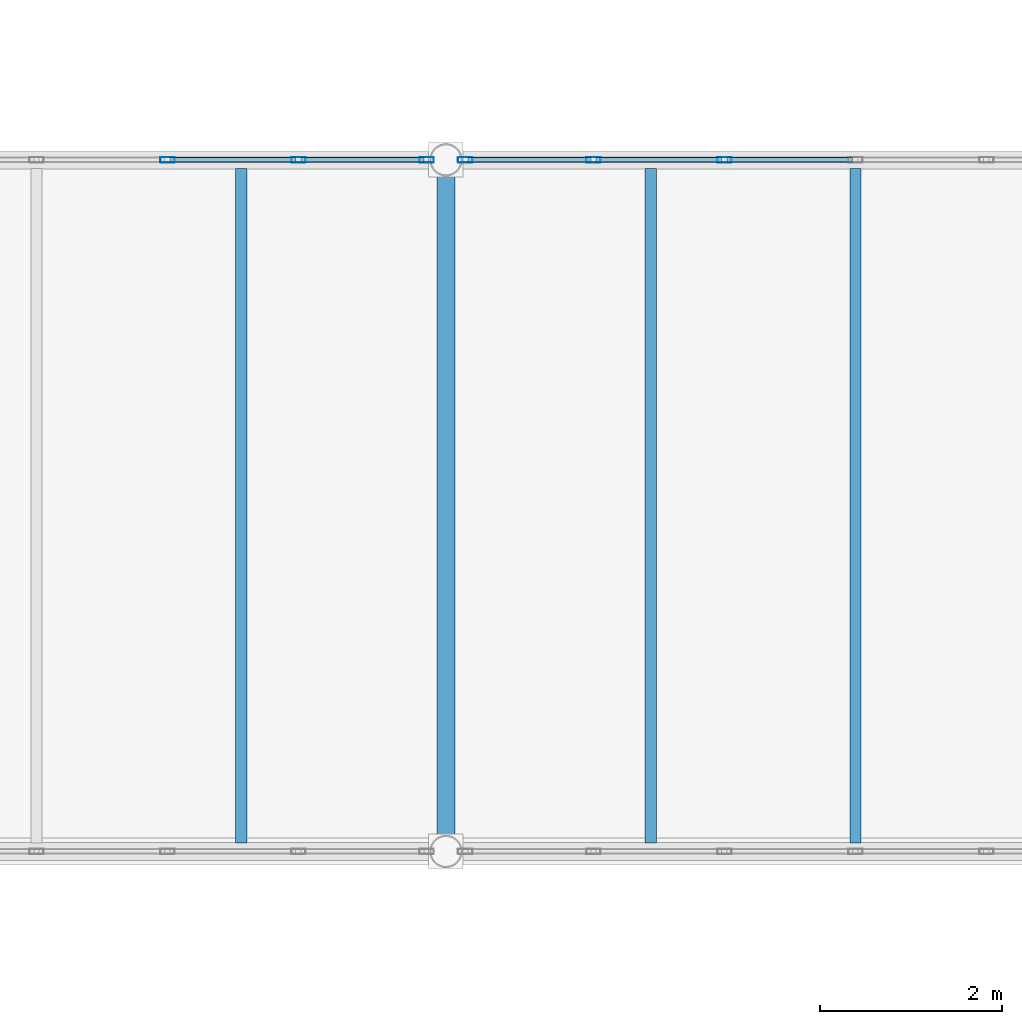
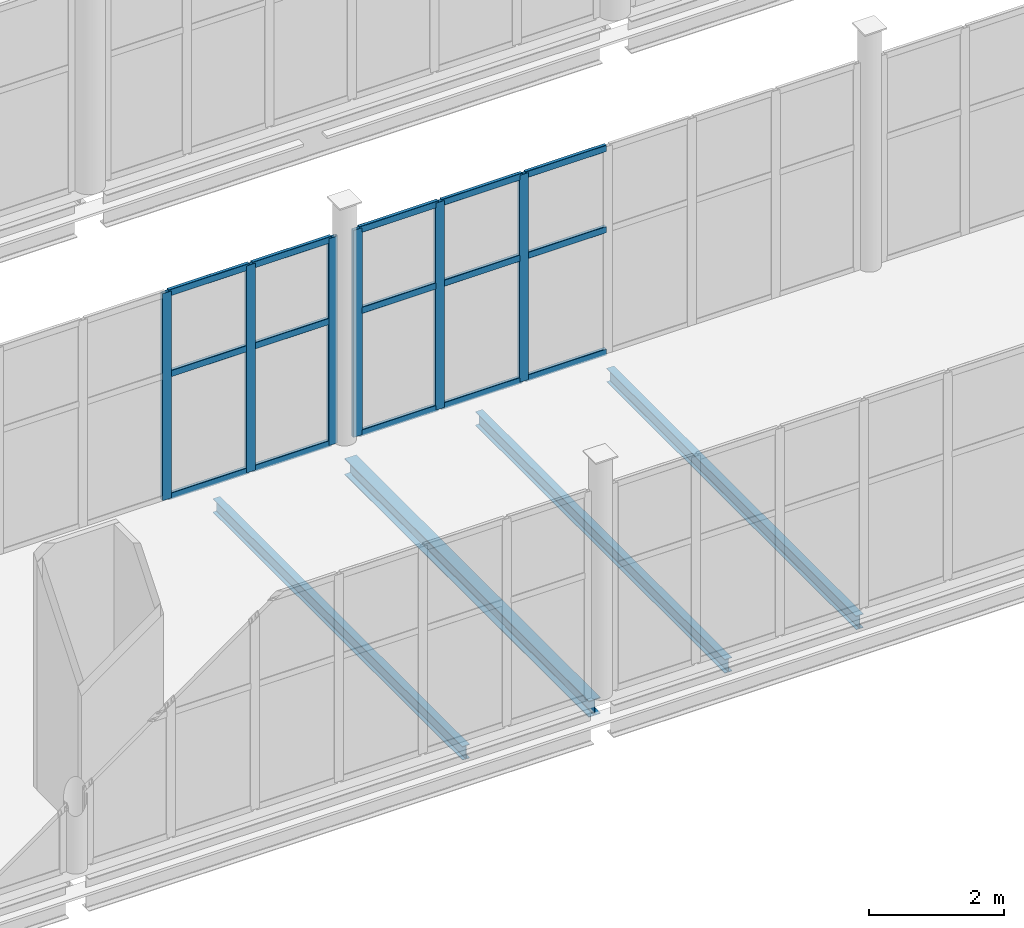
# One storey, part 103 of 172: 21 members, 4 beams, 2 elements without a shape of their own.
"""IFC4 building model written with IfcOpenShell, lengths in metres."""

from ifc_helpers import new_model, si_unit, direction, frame, origin, origin_2d, place, context, subcontext, project, spatial, hollow_rectangle, i_section, extrude, material, material_profile, profile_set, type_object, element, aggregate, save


model = new_model("IFC4")

# Units and contexts
model_context = context("Model", 3, precision=1e-05, world=origin(), true_north=direction((0.0, 1.0)))
body_context = subcontext(model_context, "Body", "Model", "MODEL_VIEW")
ifc_project = project(units=[si_unit("LENGTHUNIT", "METRE"), si_unit("AREAUNIT", "SQUARE_METRE"), si_unit("VOLUMEUNIT", "CUBIC_METRE"), si_unit("PLANEANGLEUNIT", "RADIAN"), si_unit("MASSUNIT", "GRAM", prefix="KILO")], contexts=[model_context])

# Site, building, storey
site_placement = place(None, origin())
site = spatial("IfcSite", under=ifc_project, at=site_placement, CompositionType="ELEMENT")
building_placement = place(site_placement, origin())
building = spatial("IfcBuilding", under=site, at=building_placement, Name="Shengluoqiao Park Theatre", CompositionType="ELEMENT")
storey_placement = place(building_placement, frame((0.0, 0.0, 5.39990234375)))
storey = spatial("IfcBuildingStorey", under=building, at=storey_placement, Name="L01", CompositionType="ELEMENT", Elevation=5.39990234375)

# Curtain wall, members
ifc_material_1 = material(Name="Aluminium 6063-T6", Category="aluminium")
curtain_wall_type = type_object("IfcCurtainWallType", Name="ENV-CW-BRIDGE", PredefinedType="NOTDEFINED", material=ifc_material_1)
curtain_wall_1_placement = place(storey_placement, origin())
curtain_wall_1 = element("IfcCurtainWall", 1, at=curtain_wall_1_placement, inside=storey, type_object=curtain_wall_type, Name="L01 Curtain Wall CWX-L01-0145", PredefinedType="NOTDEFINED")
ifc_material_profile_1 = material_profile(ifc_material_1, hollow_rectangle(XDim=0.06005859375, YDim=0.159912109375, WallThickness=0.00390625, InnerFilletRadius=0.00390625, OuterFilletRadius=0.008056640625, at=origin_2d()), Name="ALU MULLION 160x60x4")
ifc_profile_set_1 = profile_set([ifc_material_profile_1], Name="Aluminium 6063-T6")
member_type_1 = type_object("IfcMemberType", Name="ENV-MUL-160", PredefinedType="MULLION", material=ifc_profile_set_1)
member_1_placement = place(storey_placement, frame((127.33935546875, 60.800048828125, 0.0), z_axis=(0.0, 0.0, 1.0), x_axis=(0.0, 1.0, 0.0)))
member_1 = element("IfcMember", 2, at=member_1_placement, type_object=member_type_1, Name="CW-03 mullion 5", PredefinedType="MULLION", context=body_context, shape_type="SweptSolid", body=[
    extrude(hollow_rectangle(XDim=0.06005859375, YDim=0.159912109375, WallThickness=0.00390625, InnerFilletRadius=0.00390625, OuterFilletRadius=0.008056640625, at=origin_2d()), origin(), (0.0, 0.0, 1.0), 3.752197265625),
])
member_2_placement = place(storey_placement, frame((128.778564453125, 60.800048828125, 0.0), z_axis=(0.0, 0.0, 1.0), x_axis=(0.0, 1.0, 0.0)))
member_2 = element("IfcMember", 3, at=member_2_placement, type_object=member_type_1, Name="CW-03 mullion 6", PredefinedType="MULLION", context=body_context, shape_type="SweptSolid", body=[
    extrude(hollow_rectangle(XDim=0.06005859375, YDim=0.159912109375, WallThickness=0.00390625, InnerFilletRadius=0.00390625, OuterFilletRadius=0.008056640625, at=origin_2d()), origin(), (0.0, 0.0, 1.0), 3.752197265625),
])
member_3_placement = place(storey_placement, frame((130.18798828125, 60.800048828125, 0.0), z_axis=(0.0, 0.0, 1.0), x_axis=(0.0, 1.0, 0.0)))
member_3 = element("IfcMember", 4, at=member_3_placement, type_object=member_type_1, Name="CW-03 mullion 7", PredefinedType="MULLION", context=body_context, shape_type="SweptSolid", body=[
    extrude(hollow_rectangle(XDim=0.06005859375, YDim=0.159912109375, WallThickness=0.00390625, InnerFilletRadius=0.00390625, OuterFilletRadius=0.008056640625, at=origin_2d()), origin(), (0.0, 0.0, 1.0), 3.752197265625),
])

curtain_wall_2_placement = place(storey_placement, origin())
curtain_wall_2 = element("IfcCurtainWall", 5, at=curtain_wall_2_placement, inside=storey, type_object=curtain_wall_type, Name="L01 Curtain Wall CWX-L01-0146", PredefinedType="NOTDEFINED")
member_4_placement = place(storey_placement, frame((130.612060546875, 60.800048828125, 0.0), z_axis=(0.0, 0.0, 1.0), x_axis=(0.0, 1.0, 0.0)))
member_4 = element("IfcMember", 6, at=member_4_placement, type_object=member_type_1, Name="CW-03 mullion 1", PredefinedType="MULLION", context=body_context, shape_type="SweptSolid", body=[
    extrude(hollow_rectangle(XDim=0.06005859375, YDim=0.159912109375, WallThickness=0.00390625, InnerFilletRadius=0.00390625, OuterFilletRadius=0.008056640625, at=origin_2d()), origin(), (0.0, 0.0, 1.0), 3.752197265625),
])
member_5_placement = place(storey_placement, frame((132.021240234375, 60.800048828125, 0.0), z_axis=(0.0, 0.0, 1.0), x_axis=(0.0, 1.0, 0.0)))
member_5 = element("IfcMember", 7, at=member_5_placement, type_object=member_type_1, Name="CW-03 mullion 2", PredefinedType="MULLION", context=body_context, shape_type="SweptSolid", body=[
    extrude(hollow_rectangle(XDim=0.06005859375, YDim=0.159912109375, WallThickness=0.00390625, InnerFilletRadius=0.00390625, OuterFilletRadius=0.008056640625, at=origin_2d()), origin(), (0.0, 0.0, 1.0), 3.752197265625),
])
member_6_placement = place(storey_placement, frame((133.460693359375, 60.800048828125, 0.0), z_axis=(0.0, 0.0, 1.0), x_axis=(0.0, 1.0, 0.0)))
member_6 = element("IfcMember", 8, at=member_6_placement, type_object=member_type_1, Name="CW-03 mullion 3", PredefinedType="MULLION", context=body_context, shape_type="SweptSolid", body=[
    extrude(hollow_rectangle(XDim=0.06005859375, YDim=0.159912109375, WallThickness=0.00390625, InnerFilletRadius=0.00390625, OuterFilletRadius=0.008056640625, at=origin_2d()), origin(), (0.0, 0.0, 1.0), 3.752197265625),
])

# Member
ifc_material_profile_2 = material_profile(ifc_material_1, hollow_rectangle(XDim=0.06005859375, YDim=0.1201171875, WallThickness=0.00390625, InnerFilletRadius=0.00390625, OuterFilletRadius=0.008056640625, at=origin_2d()), Name="ALU TRANSOM 120x60x4")
ifc_profile_set_2 = profile_set([ifc_material_profile_2], Name="Aluminium 6063-T6")
member_type_2 = type_object("IfcMemberType", Name="ENV-TRN-120", PredefinedType="USERDEFINED", material=ifc_profile_set_2)
member_7_placement = place(storey_placement, frame((127.369384765625, 60.800048828125, 0.030029296875), z_axis=(1.0, 0.0, 0.0), x_axis=(0.0, 1.0, 0.0)))
member_7 = element("IfcMember", 9, at=member_7_placement, type_object=member_type_2, Name="CW-03 transom 5.1", ObjectType="TRANSOM", PredefinedType="USERDEFINED", context=body_context, shape_type="SweptSolid", body=[
    extrude(hollow_rectangle(XDim=0.06005859375, YDim=0.1201171875, WallThickness=0.00390625, InnerFilletRadius=0.00390625, OuterFilletRadius=0.008056640625, at=origin_2d()), origin(), (0.0, 0.0, 1.0), 1.37939453125),
])

member_8_placement = place(storey_placement, frame((127.369384765625, 60.800048828125, 2.2509765625), z_axis=(1.0, 0.0, 0.0), x_axis=(0.0, 1.0, 0.0)))
member_8 = element("IfcMember", 10, at=member_8_placement, type_object=member_type_2, Name="CW-03 transom 5.2", ObjectType="TRANSOM", PredefinedType="USERDEFINED", context=body_context, shape_type="SweptSolid", body=[
    extrude(hollow_rectangle(XDim=0.06005859375, YDim=0.1201171875, WallThickness=0.00390625, InnerFilletRadius=0.00390625, OuterFilletRadius=0.008056640625, at=origin_2d()), origin(), (0.0, 0.0, 1.0), 1.37939453125),
])

member_9_placement = place(storey_placement, frame((127.369384765625, 60.800048828125, 3.72216796875), z_axis=(1.0, 0.0, 0.0), x_axis=(0.0, 1.0, 0.0)))
member_9 = element("IfcMember", 11, at=member_9_placement, type_object=member_type_2, Name="CW-03 transom 5.3", ObjectType="TRANSOM", PredefinedType="USERDEFINED", context=body_context, shape_type="SweptSolid", body=[
    extrude(hollow_rectangle(XDim=0.06005859375, YDim=0.1201171875, WallThickness=0.00390625, InnerFilletRadius=0.00390625, OuterFilletRadius=0.008056640625, at=origin_2d()), origin(), (0.0, 0.0, 1.0), 1.37939453125),
])

member_10_placement = place(storey_placement, frame((128.80859375, 60.800048828125, 0.030029296875), z_axis=(1.0, 0.0, 0.0), x_axis=(0.0, 1.0, 0.0)))
member_10 = element("IfcMember", 12, at=member_10_placement, type_object=member_type_2, Name="CW-03 transom 6.1", ObjectType="TRANSOM", PredefinedType="USERDEFINED", context=body_context, shape_type="SweptSolid", body=[
    extrude(hollow_rectangle(XDim=0.06005859375, YDim=0.1201171875, WallThickness=0.00390625, InnerFilletRadius=0.00390625, OuterFilletRadius=0.008056640625, at=origin_2d()), origin(), (0.0, 0.0, 1.0), 1.349365234375),
])

member_11_placement = place(storey_placement, frame((128.80859375, 60.800048828125, 2.2509765625), z_axis=(1.0, 0.0, 0.0), x_axis=(0.0, 1.0, 0.0)))
member_11 = element("IfcMember", 13, at=member_11_placement, type_object=member_type_2, Name="CW-03 transom 6.2", ObjectType="TRANSOM", PredefinedType="USERDEFINED", context=body_context, shape_type="SweptSolid", body=[
    extrude(hollow_rectangle(XDim=0.06005859375, YDim=0.1201171875, WallThickness=0.00390625, InnerFilletRadius=0.00390625, OuterFilletRadius=0.008056640625, at=origin_2d()), origin(), (0.0, 0.0, 1.0), 1.349365234375),
])

member_12_placement = place(storey_placement, frame((128.80859375, 60.800048828125, 3.72216796875), z_axis=(1.0, 0.0, 0.0), x_axis=(0.0, 1.0, 0.0)))
member_12 = element("IfcMember", 14, at=member_12_placement, type_object=member_type_2, Name="CW-03 transom 6.3", ObjectType="TRANSOM", PredefinedType="USERDEFINED", context=body_context, shape_type="SweptSolid", body=[
    extrude(hollow_rectangle(XDim=0.06005859375, YDim=0.1201171875, WallThickness=0.00390625, InnerFilletRadius=0.00390625, OuterFilletRadius=0.008056640625, at=origin_2d()), origin(), (0.0, 0.0, 1.0), 1.349365234375),
])

aggregate(curtain_wall_1, [member_1, member_2, member_3, member_7, member_8, member_9, member_10, member_11, member_12])

member_13_placement = place(storey_placement, frame((130.64208984375, 60.800048828125, 0.030029296875), z_axis=(1.0, 0.0, 0.0), x_axis=(0.0, 1.0, 0.0)))
member_13 = element("IfcMember", 15, at=member_13_placement, type_object=member_type_2, Name="CW-03 transom 1.1", ObjectType="TRANSOM", PredefinedType="USERDEFINED", context=body_context, shape_type="SweptSolid", body=[
    extrude(hollow_rectangle(XDim=0.06005859375, YDim=0.1201171875, WallThickness=0.00390625, InnerFilletRadius=0.00390625, OuterFilletRadius=0.008056640625, at=origin_2d()), origin(), (0.0, 0.0, 1.0), 1.349365234375),
])

member_14_placement = place(storey_placement, frame((130.64208984375, 60.800048828125, 2.2509765625), z_axis=(1.0, 0.0, 0.0), x_axis=(0.0, 1.0, 0.0)))
member_14 = element("IfcMember", 16, at=member_14_placement, type_object=member_type_2, Name="CW-03 transom 1.2", ObjectType="TRANSOM", PredefinedType="USERDEFINED", context=body_context, shape_type="SweptSolid", body=[
    extrude(hollow_rectangle(XDim=0.06005859375, YDim=0.1201171875, WallThickness=0.00390625, InnerFilletRadius=0.00390625, OuterFilletRadius=0.008056640625, at=origin_2d()), origin(), (0.0, 0.0, 1.0), 1.349365234375),
])

member_15_placement = place(storey_placement, frame((130.64208984375, 60.800048828125, 3.72216796875), z_axis=(1.0, 0.0, 0.0), x_axis=(0.0, 1.0, 0.0)))
member_15 = element("IfcMember", 17, at=member_15_placement, type_object=member_type_2, Name="CW-03 transom 1.3", ObjectType="TRANSOM", PredefinedType="USERDEFINED", context=body_context, shape_type="SweptSolid", body=[
    extrude(hollow_rectangle(XDim=0.06005859375, YDim=0.1201171875, WallThickness=0.00390625, InnerFilletRadius=0.00390625, OuterFilletRadius=0.008056640625, at=origin_2d()), origin(), (0.0, 0.0, 1.0), 1.349365234375),
])

member_16_placement = place(storey_placement, frame((132.05126953125, 60.800048828125, 0.030029296875), z_axis=(1.0, 0.0, 0.0), x_axis=(0.0, 1.0, 0.0)))
member_16 = element("IfcMember", 18, at=member_16_placement, type_object=member_type_2, Name="CW-03 transom 2.1", ObjectType="TRANSOM", PredefinedType="USERDEFINED", context=body_context, shape_type="SweptSolid", body=[
    extrude(hollow_rectangle(XDim=0.06005859375, YDim=0.1201171875, WallThickness=0.00390625, InnerFilletRadius=0.00390625, OuterFilletRadius=0.008056640625, at=origin_2d()), origin(), (0.0, 0.0, 1.0), 1.37939453125),
])

member_17_placement = place(storey_placement, frame((132.05126953125, 60.800048828125, 2.2509765625), z_axis=(1.0, 0.0, 0.0), x_axis=(0.0, 1.0, 0.0)))
member_17 = element("IfcMember", 19, at=member_17_placement, type_object=member_type_2, Name="CW-03 transom 2.2", ObjectType="TRANSOM", PredefinedType="USERDEFINED", context=body_context, shape_type="SweptSolid", body=[
    extrude(hollow_rectangle(XDim=0.06005859375, YDim=0.1201171875, WallThickness=0.00390625, InnerFilletRadius=0.00390625, OuterFilletRadius=0.008056640625, at=origin_2d()), origin(), (0.0, 0.0, 1.0), 1.37939453125),
])

member_18_placement = place(storey_placement, frame((132.05126953125, 60.800048828125, 3.72216796875), z_axis=(1.0, 0.0, 0.0), x_axis=(0.0, 1.0, 0.0)))
member_18 = element("IfcMember", 20, at=member_18_placement, type_object=member_type_2, Name="CW-03 transom 2.3", ObjectType="TRANSOM", PredefinedType="USERDEFINED", context=body_context, shape_type="SweptSolid", body=[
    extrude(hollow_rectangle(XDim=0.06005859375, YDim=0.1201171875, WallThickness=0.00390625, InnerFilletRadius=0.00390625, OuterFilletRadius=0.008056640625, at=origin_2d()), origin(), (0.0, 0.0, 1.0), 1.37939453125),
])

member_19_placement = place(storey_placement, frame((133.49072265625, 60.800048828125, 0.030029296875), z_axis=(1.0, 0.0, 0.0), x_axis=(0.0, 1.0, 0.0)))
member_19 = element("IfcMember", 21, at=member_19_placement, type_object=member_type_2, Name="CW-03 transom 3.1", ObjectType="TRANSOM", PredefinedType="USERDEFINED", context=body_context, shape_type="SweptSolid", body=[
    extrude(hollow_rectangle(XDim=0.06005859375, YDim=0.1201171875, WallThickness=0.00390625, InnerFilletRadius=0.00390625, OuterFilletRadius=0.008056640625, at=origin_2d()), origin(), (0.0, 0.0, 1.0), 1.37939453125),
])

member_20_placement = place(storey_placement, frame((133.49072265625, 60.800048828125, 2.2509765625), z_axis=(1.0, 0.0, 0.0), x_axis=(0.0, 1.0, 0.0)))
member_20 = element("IfcMember", 22, at=member_20_placement, type_object=member_type_2, Name="CW-03 transom 3.2", ObjectType="TRANSOM", PredefinedType="USERDEFINED", context=body_context, shape_type="SweptSolid", body=[
    extrude(hollow_rectangle(XDim=0.06005859375, YDim=0.1201171875, WallThickness=0.00390625, InnerFilletRadius=0.00390625, OuterFilletRadius=0.008056640625, at=origin_2d()), origin(), (0.0, 0.0, 1.0), 1.37939453125),
])

member_21_placement = place(storey_placement, frame((133.49072265625, 60.800048828125, 3.72216796875), z_axis=(1.0, 0.0, 0.0), x_axis=(0.0, 1.0, 0.0)))
member_21 = element("IfcMember", 23, at=member_21_placement, type_object=member_type_2, Name="CW-03 transom 3.3", ObjectType="TRANSOM", PredefinedType="USERDEFINED", context=body_context, shape_type="SweptSolid", body=[
    extrude(hollow_rectangle(XDim=0.06005859375, YDim=0.1201171875, WallThickness=0.00390625, InnerFilletRadius=0.00390625, OuterFilletRadius=0.008056640625, at=origin_2d()), origin(), (0.0, 0.0, 1.0), 1.37939453125),
])

aggregate(curtain_wall_2, [member_4, member_5, member_6, member_13, member_14, member_15, member_16, member_17, member_18, member_19, member_20, member_21])

# Beams
ifc_material_2 = material(Name="Steel Q355", Category="steel")
ifc_material_profile_3 = material_profile(ifc_material_2, i_section(OverallWidth=0.199951171875, OverallDepth=0.2939453125, WebThickness=0.008056640625, FlangeThickness=0.011962890625, FilletRadius=0.01611328125, at=origin_2d()), Name="HM 294x200x8x12")
ifc_profile_set_3 = profile_set([ifc_material_profile_3], Name="Steel Q355")
beam_type_1 = type_object("IfcBeamType", Name="STR-BM-G-HM294", PredefinedType="BEAM", material=ifc_profile_set_3)
beam_placement = place(storey_placement, frame((130.39990234375, 53.3720703125, -0.35693359375), z_axis=(0.0, 1.0, 0.0), x_axis=(-1.0, 0.0, 0.0)))
element("IfcBeam", 24, at=beam_placement, inside=storey, type_object=beam_type_1, Name="L01 Transverse Girder 00596", PredefinedType="BEAM", context=body_context, shape_type="SweptSolid", body=[
    extrude(i_section(OverallWidth=0.199951171875, OverallDepth=0.2939453125, WebThickness=0.008056640625, FlangeThickness=0.011962890625, FilletRadius=0.01611328125, at=origin_2d()), origin(), (0.0, 0.0, 1.0), 7.255859375),
])
ifc_material_profile_4 = material_profile(ifc_material_2, i_section(OverallWidth=0.125, OverallDepth=0.25, WebThickness=0.006103515625, FlangeThickness=0.009033203125, FilletRadius=0.010009765625, at=origin_2d()), Name="HN 250x125x6x9")
ifc_profile_set_4 = profile_set([ifc_material_profile_4], Name="Steel Q355")
beam_type_2 = type_object("IfcBeamType", Name="STR-BM-J-HN250", PredefinedType="JOIST", material=ifc_profile_set_4)
for number, where, z_axis, x_axis, name in (
    (25, (128.14990234375, 53.29443359375, -0.3349609375), (0.0, 1.0, 0.0), (-1.0, 0.0, 0.0), "L01 Composite Joist 00627"),
    (26, (132.64990234375, 53.29443359375, -0.3349609375), (0.0, 1.0, 0.0), (-1.0, 0.0, 0.0), "L01 Composite Joist 00628"),
    (27, (134.89990234375, 53.29443359375, -0.3349609375), (0.0, 1.0, 0.0), (-1.0, 0.0, 0.0), "L01 Composite Joist 00629"),
):
    element("IfcBeam", number, at=place(storey_placement, frame(where, z_axis=z_axis, x_axis=x_axis)), inside=storey, type_object=beam_type_2, Name=name, PredefinedType="JOIST", context=body_context, shape_type="SweptSolid", body=[
        extrude(i_section(OverallWidth=0.125, OverallDepth=0.25, WebThickness=0.006103515625, FlangeThickness=0.009033203125, FilletRadius=0.010009765625, at=origin_2d()), origin(), (0.0, 0.0, 1.0), 7.4111328125),
    ])

save(model, "model.ifc")
